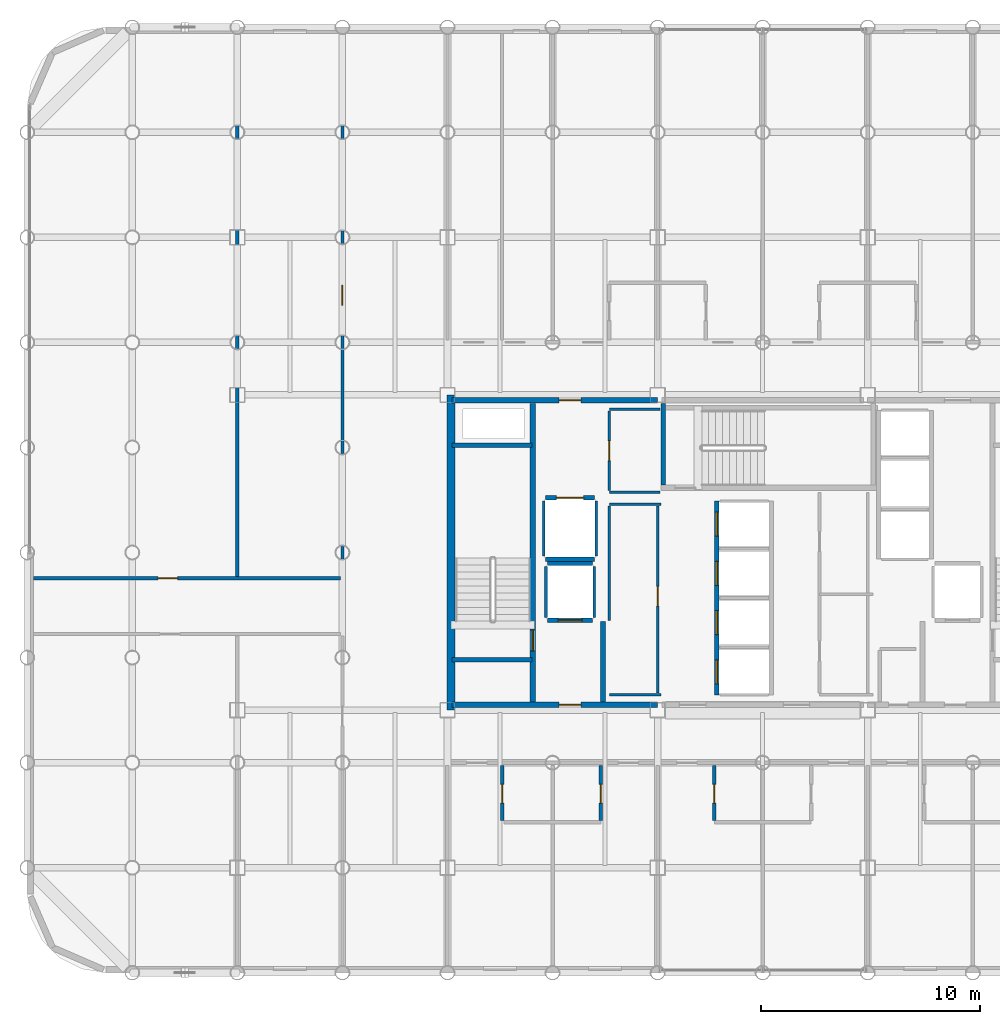
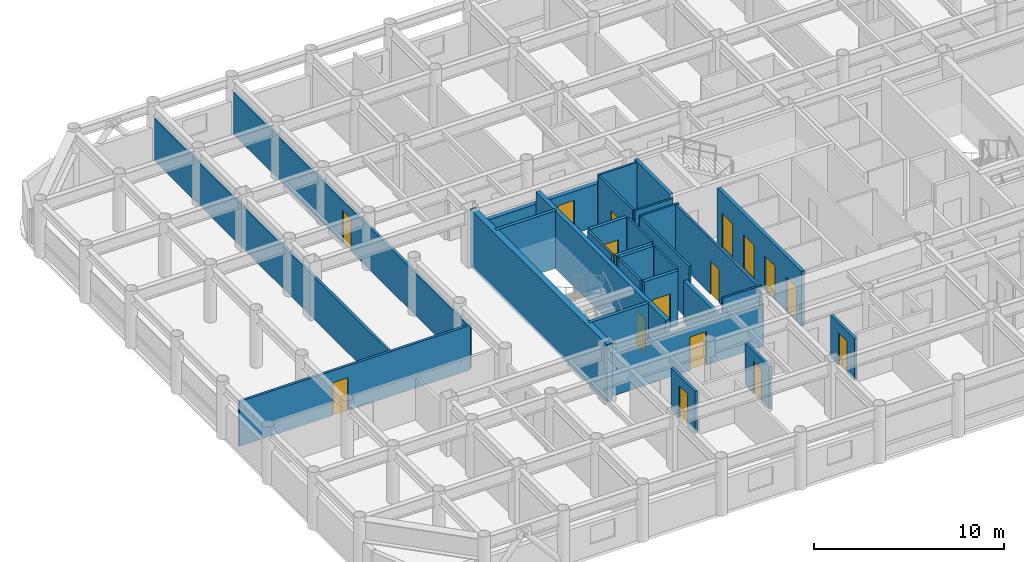
# One storey, part 16 of 20: 30 walls, 16 doors, 16 openings.
"""IFC4 building model written with IfcOpenShell, lengths in metres."""

from ifc_helpers import new_model, si_unit, direction, frame, frame_2d, origin, place, context, subcontext, project, spatial, rectangle, extrude, material, layer, layer_set, type_object, element, fill, save


model = new_model("IFC4")

# Units and contexts
model_context = context("Model", 3, precision=1e-05, world=origin(), true_north=direction((0.0, 1.0)))
body_context = subcontext(model_context, "Body", "Model", "MODEL_VIEW")
ifc_project = project(units=[si_unit("LENGTHUNIT", "METRE"), si_unit("AREAUNIT", "SQUARE_METRE"), si_unit("VOLUMEUNIT", "CUBIC_METRE"), si_unit("PLANEANGLEUNIT", "RADIAN"), si_unit("MASSUNIT", "GRAM", prefix="KILO")], contexts=[model_context])

# Site, building, storey
site_placement = place(None, origin())
site = spatial("IfcSite", under=ifc_project, at=site_placement, CompositionType="ELEMENT")
building_placement = place(site_placement, origin())
building = spatial("IfcBuilding", under=site, at=building_placement, Name="Kallvorn Hotel Tower", CompositionType="ELEMENT")
storey_placement = place(building_placement, frame((0.0, 0.0, 132.199951171875)))
storey = spatial("IfcBuildingStorey", under=building, at=storey_placement, Name="L32", CompositionType="ELEMENT", Elevation=132.199951171875)

# Wall
ifc_material_1 = material(Name="Concrete C50/60", Category="concrete")
ifc_layer_1 = layer(ifc_material_1, 0.35009765625)
ifc_layer_set_1 = layer_set([ifc_layer_1], Name="WL_CORE_350")
wall_type_1 = type_object("IfcWallType", Name="WL_CORE_350", PredefinedType="SHEAR", material=ifc_layer_set_1)
wall_1_placement = place(storey_placement, frame((-14.239990234375, -7.199951171875, -0.179931640625), z_axis=(0.0, 0.0, 1.0), x_axis=(0.0, 1.0, 0.0)))
element("IfcWall", 1, at=wall_1_placement, inside=storey, type_object=wall_type_1, Name="L32 Core West Shear Wall", PredefinedType="SHEAR", context=body_context, shape_type="SweptSolid", body=[
    extrude(rectangle(XDim=14.39990234375, YDim=0.35009765625, at=frame_2d((7.199951171875, 0.0))), origin(), (0.0, 0.0, 1.0), 3.699951171875),
])

# Wall, opening, door
ifc_material_2 = material(Name="Fire-rated double-layer acoustic gypsum drywall EI 60")
ifc_layer_2 = layer(ifc_material_2, 0.159912109375)
ifc_layer_set_2 = layer_set([ifc_layer_2], Name="WL_DEMISE_160")
wall_type_2 = type_object("IfcWallType", Name="WL_DEMISE_160", PredefinedType="PARTITIONING", material=ifc_layer_set_2)
wall_2_placement = place(storey_placement, frame((-11.905029296875, -12.235107421875, 0.0), z_axis=(0.0, 0.0, 1.0), x_axis=(0.0, 1.0, 0.0)))
wall_2 = element("IfcWall", 2, at=wall_2_placement, inside=storey, type_object=wall_type_2, Name="L32 Suite 3201 Superior Twin Room Partition", PredefinedType="PARTITIONING", context=body_context, shape_type="SweptSolid", body=[
    extrude(rectangle(XDim=2.51513671875, YDim=0.159912109375, at=frame_2d((1.257568359375, 0.0))), origin(), (0.0, 0.0, 1.0), 2.719970703125),
])
opening_1_placement = place(wall_2_placement, frame((0.784912109375, 0.0, 0.0)))
opening_1 = element("IfcOpeningElement", 3, at=opening_1_placement, cuts=wall_2, Name="Opening BD-I", PredefinedType="OPENING", context=body_context, shape_type="SweptSolid", body=[
    extrude(rectangle(XDim=0.860107421875, YDim=2.10009765625, at=frame_2d((0.43017578125, 1.050048828125))), frame((0.0, 0.094970703125, 0.0), z_axis=(0.0, -1.0, 0.0), x_axis=(1.0, 0.0, 0.0)), (0.0, 0.0, 1.0), 0.18994140625),
])
ifc_material_3 = material(Name="Solid-core walnut veneer fire-rated timber door leaf", Category="wood")
door_type_1 = type_object("IfcDoorType", Name="DR_BATH_860x2100", OperationType="NOTDEFINED", PredefinedType="DOOR", material=ifc_material_3)
door_1_placement = place(opening_1_placement, origin())
door_1 = element("IfcDoor", 4, at=door_1_placement, inside=storey, type_object=door_type_1, Name="L32 Suite 3201 En-Suite Bathroom Door", OperationType="SINGLE_SWING_LEFT", OverallHeight=2.10009765625, OverallWidth=0.860107421875, PredefinedType="DOOR", context=body_context, shape_type="SweptSolid", body=[
    extrude(rectangle(XDim=0.860107421875, YDim=2.10009765625, at=frame_2d((0.43017578125, 1.050048828125))), frame((0.0, 0.02490234375, 0.0), z_axis=(0.0, -1.0, 0.0), x_axis=(1.0, 0.0, 0.0)), (0.0, 0.0, 1.0), 0.050048828125),
])
fill(opening_1, door_1)

wall_3_placement = place(storey_placement, frame((-7.389892578125, -12.235107421875, 0.0), z_axis=(0.0, 0.0, 1.0), x_axis=(0.0, 1.0, 0.0)))
wall_3 = element("IfcWall", 5, at=wall_3_placement, inside=storey, type_object=wall_type_2, Name="L32 Suite 3202 Superior Twin Room Partition", PredefinedType="PARTITIONING", context=body_context, shape_type="SweptSolid", body=[
    extrude(rectangle(XDim=2.51513671875, YDim=0.159912109375, at=frame_2d((1.257568359375, 0.0))), origin(), (0.0, 0.0, 1.0), 2.719970703125),
])
opening_2_placement = place(wall_3_placement, frame((0.784912109375, 0.0, 0.0)))
opening_2 = element("IfcOpeningElement", 6, at=opening_2_placement, cuts=wall_3, Name="Opening BD-I", PredefinedType="OPENING", context=body_context, shape_type="SweptSolid", body=[
    extrude(rectangle(XDim=0.860107421875, YDim=2.10009765625, at=frame_2d((0.43017578125, 1.050048828125))), frame((0.0, 0.094970703125, 0.0), z_axis=(0.0, -1.0, 0.0), x_axis=(1.0, 0.0, 0.0)), (0.0, 0.0, 1.0), 0.18994140625),
])
door_2_placement = place(opening_2_placement, origin())
door_2 = element("IfcDoor", 7, at=door_2_placement, inside=storey, type_object=door_type_1, Name="L32 Suite 3202 En-Suite Bathroom Door", OperationType="SINGLE_SWING_LEFT", OverallHeight=2.10009765625, OverallWidth=0.860107421875, PredefinedType="DOOR", context=body_context, shape_type="SweptSolid", body=[
    extrude(rectangle(XDim=0.860107421875, YDim=2.10009765625, at=frame_2d((0.43017578125, 1.050048828125))), frame((0.0, 0.02490234375, 0.0), z_axis=(0.0, -1.0, 0.0), x_axis=(1.0, 0.0, 0.0)), (0.0, 0.0, 1.0), 0.050048828125),
])
fill(opening_2, door_2)

wall_4_placement = place(storey_placement, frame((-2.2099609375, -12.235107421875, 0.0), z_axis=(0.0, 0.0, 1.0), x_axis=(0.0, 1.0, 0.0)))
wall_4 = element("IfcWall", 8, at=wall_4_placement, inside=storey, type_object=wall_type_2, Name="L32 Suite 3203 Superior Twin Room Partition", PredefinedType="PARTITIONING", context=body_context, shape_type="SweptSolid", body=[
    extrude(rectangle(XDim=2.51513671875, YDim=0.159912109375, at=frame_2d((1.257568359375, 0.0))), origin(), (0.0, 0.0, 1.0), 2.719970703125),
])
opening_3_placement = place(wall_4_placement, frame((0.784912109375, 0.0, 0.0)))
opening_3 = element("IfcOpeningElement", 9, at=opening_3_placement, cuts=wall_4, Name="Opening BD-I", PredefinedType="OPENING", context=body_context, shape_type="SweptSolid", body=[
    extrude(rectangle(XDim=0.860107421875, YDim=2.10009765625, at=frame_2d((0.43017578125, 1.050048828125))), frame((0.0, 0.094970703125, 0.0), z_axis=(0.0, -1.0, 0.0), x_axis=(1.0, 0.0, 0.0)), (0.0, 0.0, 1.0), 0.18994140625),
])
door_3_placement = place(opening_3_placement, origin())
door_3 = element("IfcDoor", 10, at=door_3_placement, inside=storey, type_object=door_type_1, Name="L32 Suite 3203 En-Suite Bathroom Door", OperationType="SINGLE_SWING_LEFT", OverallHeight=2.10009765625, OverallWidth=0.860107421875, PredefinedType="DOOR", context=body_context, shape_type="SweptSolid", body=[
    extrude(rectangle(XDim=0.860107421875, YDim=2.10009765625, at=frame_2d((0.43017578125, 1.050048828125))), frame((0.0, 0.02490234375, 0.0), z_axis=(0.0, -1.0, 0.0), x_axis=(1.0, 0.0, 0.0)), (0.0, 0.0, 1.0), 0.050048828125),
])
fill(opening_3, door_3)

# Walls
ifc_material_4 = material(Name="Concrete C40/50", Category="concrete")
ifc_layer_3 = layer(ifc_material_4, 0.219970703125)
ifc_layer_set_3 = layer_set([ifc_layer_3], Name="WL_FFL_220")
wall_type_3 = type_object("IfcWallType", Name="WL_FFL_220", PredefinedType="SOLIDWALL", material=ifc_layer_set_3)
wall_5_placement = place(storey_placement, frame((-7.300048828125, -6.820068359375, 0.0), z_axis=(0.0, 0.0, 1.0), x_axis=(0.0, 1.0, 0.0)))
element("IfcWall", 11, at=wall_5_placement, inside=storey, type_object=wall_type_3, Name="L32 Firefighting Lobby West Divider Wall", PredefinedType="SOLIDWALL", context=body_context, shape_type="SweptSolid", body=[
    extrude(rectangle(XDim=3.670166015625, YDim=0.219970703125, at=frame_2d((1.8349609375, 0.0))), origin(), (0.0, 0.0, 1.0), 2.719970703125),
])
ifc_material_5 = material(Name="Concrete C40/50", Category="concrete")
ifc_layer_4 = layer(ifc_material_5, 0.199951171875)
ifc_layer_set_4 = layer_set([ifc_layer_4], Name="WL_HOIST_200")
wall_type_4 = type_object("IfcWallType", Name="WL_HOIST_200", PredefinedType="SOLIDWALL", material=ifc_layer_set_4)
for number, where, z_axis, x_axis, name in (
    (12, (-14.199951171875, -4.89990234375, -0.179931640625), (0.0, 0.0, 1.0), (1.0, 0.0, 0.0), "L32 Stair ST1 South Wall"),
    (13, (-14.199951171875, 4.89990234375, -0.179931640625), (0.0, 0.0, 1.0), (1.0, 0.0, 0.0), "L32 Stair ST1 North Wall"),
):
    element("IfcWall", number, at=place(storey_placement, frame(where, z_axis=z_axis, x_axis=x_axis)), inside=storey, type_object=wall_type_4, Name=name, PredefinedType="SOLIDWALL", context=body_context, shape_type="SweptSolid", body=[
        extrude(rectangle(XDim=3.64990234375, YDim=0.199951171875, at=frame_2d((1.824951171875, 0.0))), origin(), (0.0, 0.0, 1.0), 3.699951171875),
    ])
wall_6_placement = place(storey_placement, frame((-4.550048828125, 3.080078125, -0.179931640625), z_axis=(0.0, 0.0, 1.0), x_axis=(0.0, 1.0, 0.0)))
element("IfcWall", 14, at=wall_6_placement, inside=storey, type_object=wall_type_4, Name="L32 Stair ST3 West Wall", PredefinedType="SOLIDWALL", context=body_context, shape_type="SweptSolid", body=[
    extrude(rectangle(XDim=3.739990234375, YDim=0.199951171875, at=frame_2d((1.8701171875, 0.0))), origin(), (0.0, 0.0, 1.0), 3.699951171875),
])

# Wall, openings, doors
wall_7_placement = place(storey_placement, frame((-2.10009765625, -6.5, 0.0), z_axis=(0.0, 0.0, 1.0), x_axis=(0.0, 1.0, 0.0)))
wall_7 = element("IfcWall", 15, at=wall_7_placement, inside=storey, type_object=wall_type_4, Name="L32 Lift Bank B2 Landing Wall", PredefinedType="SOLIDWALL", context=body_context, shape_type="SweptSolid", body=[
    extrude(rectangle(XDim=8.85009765625, YDim=0.199951171875, at=frame_2d((4.425048828125, 0.0))), origin(), (0.0, 0.0, 1.0), 3.52001953125),
])
opening_4_placement = place(wall_7_placement, frame((0.5, 0.0, 0.0)))
opening_4 = element("IfcOpeningElement", 16, at=opening_4_placement, cuts=wall_7, Name="Opening LD-PL-05", PredefinedType="OPENING", context=body_context, shape_type="SweptSolid", body=[
    extrude(rectangle(XDim=1.10009765625, YDim=2.199951171875, at=frame_2d((0.550048828125, 1.10009765625))), frame((0.0, 0.114990234375, 0.0), z_axis=(0.0, -1.0, 0.0), x_axis=(1.0, 0.0, 0.0)), (0.0, 0.0, 1.0), 0.22998046875),
])
opening_5_placement = place(wall_7_placement, frame((2.75, 0.0, 0.0)))
opening_5 = element("IfcOpeningElement", 17, at=opening_5_placement, cuts=wall_7, Name="Opening LD-PL-06", PredefinedType="OPENING", context=body_context, shape_type="SweptSolid", body=[
    extrude(rectangle(XDim=1.10009765625, YDim=2.199951171875, at=frame_2d((0.550048828125, 1.10009765625))), frame((0.0, 0.114990234375, 0.0), z_axis=(0.0, -1.0, 0.0), x_axis=(1.0, 0.0, 0.0)), (0.0, 0.0, 1.0), 0.22998046875),
])
opening_6_placement = place(wall_7_placement, frame((5.0, 0.0, 0.0)))
opening_6 = element("IfcOpeningElement", 18, at=opening_6_placement, cuts=wall_7, Name="Opening LD-PL-07", PredefinedType="OPENING", context=body_context, shape_type="SweptSolid", body=[
    extrude(rectangle(XDim=1.10009765625, YDim=2.199951171875, at=frame_2d((0.550048828125, 1.10009765625))), frame((0.0, 0.114990234375, 0.0), z_axis=(0.0, -1.0, 0.0), x_axis=(1.0, 0.0, 0.0)), (0.0, 0.0, 1.0), 0.22998046875),
])
opening_7_placement = place(wall_7_placement, frame((7.25, 0.0, 0.0)))
opening_7 = element("IfcOpeningElement", 19, at=opening_7_placement, cuts=wall_7, Name="Opening LD-PL-08", PredefinedType="OPENING", context=body_context, shape_type="SweptSolid", body=[
    extrude(rectangle(XDim=1.10009765625, YDim=2.199951171875, at=frame_2d((0.550048828125, 1.10009765625))), frame((0.0, 0.114990234375, 0.0), z_axis=(0.0, -1.0, 0.0), x_axis=(1.0, 0.0, 0.0)), (0.0, 0.0, 1.0), 0.22998046875),
])
ifc_material_6 = material(Name="Brushed stainless-steel automatic sliding lift landing door", Category="steel")
door_type_2 = type_object("IfcDoorType", Name="LD_PASS_1100x2200", OperationType="SLIDING_TO_LEFT", PredefinedType="DOOR", material=ifc_material_6)
door_4_placement = place(opening_4_placement, origin())
door_4 = element("IfcDoor", 20, at=door_4_placement, inside=storey, type_object=door_type_2, Name="L32 Lift Landing Sliding Door LD-PL-05", OperationType="SLIDING_TO_LEFT", OverallHeight=2.199951171875, OverallWidth=1.10009765625, PredefinedType="DOOR", context=body_context, shape_type="SweptSolid", body=[
    extrude(rectangle(XDim=1.10009765625, YDim=2.199951171875, at=frame_2d((0.550048828125, 1.10009765625))), frame((0.0, 0.02490234375, 0.0), z_axis=(0.0, -1.0, 0.0), x_axis=(1.0, 0.0, 0.0)), (0.0, 0.0, 1.0), 0.050048828125),
])
fill(opening_4, door_4)
door_5_placement = place(opening_5_placement, origin())
door_5 = element("IfcDoor", 21, at=door_5_placement, inside=storey, type_object=door_type_2, Name="L32 Lift Landing Sliding Door LD-PL-06", OperationType="SLIDING_TO_LEFT", OverallHeight=2.199951171875, OverallWidth=1.10009765625, PredefinedType="DOOR", context=body_context, shape_type="SweptSolid", body=[
    extrude(rectangle(XDim=1.10009765625, YDim=2.199951171875, at=frame_2d((0.550048828125, 1.10009765625))), frame((0.0, 0.02490234375, 0.0), z_axis=(0.0, -1.0, 0.0), x_axis=(1.0, 0.0, 0.0)), (0.0, 0.0, 1.0), 0.050048828125),
])
fill(opening_5, door_5)
door_6_placement = place(opening_6_placement, origin())
door_6 = element("IfcDoor", 22, at=door_6_placement, inside=storey, type_object=door_type_2, Name="L32 Lift Landing Sliding Door LD-PL-07", OperationType="SLIDING_TO_LEFT", OverallHeight=2.199951171875, OverallWidth=1.10009765625, PredefinedType="DOOR", context=body_context, shape_type="SweptSolid", body=[
    extrude(rectangle(XDim=1.10009765625, YDim=2.199951171875, at=frame_2d((0.550048828125, 1.10009765625))), frame((0.0, 0.02490234375, 0.0), z_axis=(0.0, -1.0, 0.0), x_axis=(1.0, 0.0, 0.0)), (0.0, 0.0, 1.0), 0.050048828125),
])
fill(opening_6, door_6)
door_7_placement = place(opening_7_placement, origin())
door_7 = element("IfcDoor", 23, at=door_7_placement, inside=storey, type_object=door_type_2, Name="L32 Lift Landing Sliding Door LD-PL-08", OperationType="SLIDING_TO_LEFT", OverallHeight=2.199951171875, OverallWidth=1.10009765625, PredefinedType="DOOR", context=body_context, shape_type="SweptSolid", body=[
    extrude(rectangle(XDim=1.10009765625, YDim=2.199951171875, at=frame_2d((0.550048828125, 1.10009765625))), frame((0.0, 0.02490234375, 0.0), z_axis=(0.0, -1.0, 0.0), x_axis=(1.0, 0.0, 0.0)), (0.0, 0.0, 1.0), 0.050048828125),
])
fill(opening_7, door_7)

# Wall, opening, door
wall_8_placement = place(storey_placement, frame((-9.820068359375, -3.10009765625, 0.0), z_axis=(0.0, 0.0, 1.0), x_axis=(1.0, 0.0, 0.0)))
wall_8 = element("IfcWall", 24, at=wall_8_placement, inside=storey, type_object=wall_type_4, Name="L32 FL-1 Landing Wall", PredefinedType="SOLIDWALL", context=body_context, shape_type="SweptSolid", body=[
    extrude(rectangle(XDim=2.0400390625, YDim=0.199951171875, at=frame_2d((1.02001953125, 0.0))), origin(), (0.0, 0.0, 1.0), 3.52001953125),
])
opening_8_placement = place(wall_8_placement, frame((0.469970703125, 0.0, 0.0)))
opening_8 = element("IfcOpeningElement", 25, at=opening_8_placement, cuts=wall_8, Name="Opening LD-FL-1", PredefinedType="OPENING", context=body_context, shape_type="SweptSolid", body=[
    extrude(rectangle(XDim=1.10009765625, YDim=2.199951171875, at=frame_2d((0.550048828125, 1.10009765625))), frame((0.0, 0.114990234375, 0.0), z_axis=(0.0, -1.0, 0.0), x_axis=(1.0, 0.0, 0.0)), (0.0, 0.0, 1.0), 0.22998046875),
])
door_8_placement = place(opening_8_placement, origin())
door_8 = element("IfcDoor", 26, at=door_8_placement, inside=storey, type_object=door_type_2, Name="L32 Lift Landing Sliding Door LD-FL-1", OperationType="SLIDING_TO_LEFT", OverallHeight=2.199951171875, OverallWidth=1.10009765625, PredefinedType="DOOR", context=body_context, shape_type="SweptSolid", body=[
    extrude(rectangle(XDim=1.10009765625, YDim=2.199951171875, at=frame_2d((0.550048828125, 1.10009765625))), frame((0.0, 0.02490234375, 0.0), z_axis=(0.0, -1.0, 0.0), x_axis=(1.0, 0.0, 0.0)), (0.0, 0.0, 1.0), 0.050048828125),
])
fill(opening_8, door_8)

# Wall
wall_9_placement = place(storey_placement, frame((-9.820068359375, -0.5, 0.0), z_axis=(0.0, 0.0, 1.0), x_axis=(1.0, 0.0, 0.0)))
element("IfcWall", 27, at=wall_9_placement, inside=storey, type_object=wall_type_4, Name="L32 FL-1 Rear Shaft Wall", PredefinedType="SOLIDWALL", context=body_context, shape_type="SweptSolid", body=[
    extrude(rectangle(XDim=2.0400390625, YDim=0.199951171875, at=frame_2d((1.02001953125, 0.0))), origin(), (0.0, 0.0, 1.0), 3.52001953125),
])

# Wall, opening, door
wall_10_placement = place(storey_placement, frame((-9.919921875, 2.5, 0.0), z_axis=(0.0, 0.0, 1.0), x_axis=(1.0, 0.0, 0.0)))
wall_10 = element("IfcWall", 28, at=wall_10_placement, inside=storey, type_object=wall_type_4, Name="L32 SV-01 Landing Wall", PredefinedType="SOLIDWALL", context=body_context, shape_type="SweptSolid", body=[
    extrude(rectangle(XDim=2.239990234375, YDim=0.199951171875, at=frame_2d((1.1201171875, 0.0))), origin(), (0.0, 0.0, 1.0), 3.52001953125),
])
opening_9_placement = place(wall_10_placement, frame((0.4951171875, 0.0, 0.0)))
opening_9 = element("IfcOpeningElement", 29, at=opening_9_placement, cuts=wall_10, Name="Opening LD-SV-01", PredefinedType="OPENING", context=body_context, shape_type="SweptSolid", body=[
    extrude(rectangle(XDim=1.25, YDim=2.25, at=frame_2d((0.625, 1.125))), frame((0.0, 0.114990234375, 0.0), z_axis=(0.0, -1.0, 0.0), x_axis=(1.0, 0.0, 0.0)), (0.0, 0.0, 1.0), 0.22998046875),
])
ifc_material_7 = material(Name="Brushed stainless-steel automatic sliding lift landing door", Category="steel")
door_type_3 = type_object("IfcDoorType", Name="LD_SERV_1250x2250", OperationType="SLIDING_TO_LEFT", PredefinedType="DOOR", material=ifc_material_7)
door_9_placement = place(opening_9_placement, origin())
door_9 = element("IfcDoor", 30, at=door_9_placement, inside=storey, type_object=door_type_3, Name="L32 Lift Landing Sliding Door LD-SV-01", OperationType="SLIDING_TO_LEFT", OverallHeight=2.25, OverallWidth=1.25, PredefinedType="DOOR", context=body_context, shape_type="SweptSolid", body=[
    extrude(rectangle(XDim=1.25, YDim=2.25, at=frame_2d((0.625, 1.125))), frame((0.0, 0.02490234375, 0.0), z_axis=(0.0, -1.0, 0.0), x_axis=(1.0, 0.0, 0.0)), (0.0, 0.0, 1.0), 0.050048828125),
])
fill(opening_9, door_9)

# Walls
wall_11_placement = place(storey_placement, frame((-9.919921875, -0.300048828125, 0.0), z_axis=(0.0, 0.0, 1.0), x_axis=(1.0, 0.0, 0.0)))
element("IfcWall", 31, at=wall_11_placement, inside=storey, type_object=wall_type_4, Name="L32 SV-01 Rear Shaft Wall", PredefinedType="SOLIDWALL", context=body_context, shape_type="SweptSolid", body=[
    extrude(rectangle(XDim=2.239990234375, YDim=0.199951171875, at=frame_2d((1.1201171875, 0.0))), origin(), (0.0, 0.0, 1.0), 3.52001953125),
])
ifc_material_8 = material(Name="Fire-rated double-layer acoustic gypsum drywall EI 60")
ifc_layer_5 = layer(ifc_material_8, 0.1201171875)
ifc_layer_set_5 = layer_set([ifc_layer_5], Name="WL_INT_120")
wall_type_5 = type_object("IfcWallType", Name="WL_INT_120", PredefinedType="PARTITIONING", material=ifc_layer_set_5)
for number, where, z_axis, x_axis, name in (
    (32, (-9.89990234375, -2.9599609375, 0.0), (0.0, 0.0, 1.0), (0.0, 1.0, 0.0), "L32 FL-1 West Shaft Wall"),
    (33, (-7.699951171875, -2.9599609375, 0.0), (0.0, 0.0, 1.0), (0.0, 1.0, 0.0), "L32 FL-1 East Shaft Wall"),
):
    element("IfcWall", number, at=place(storey_placement, frame(where, z_axis=z_axis, x_axis=x_axis)), inside=storey, type_object=wall_type_5, Name=name, PredefinedType="PARTITIONING", context=body_context, shape_type="SweptSolid", body=[
        extrude(rectangle(XDim=2.320068359375, YDim=0.1201171875, at=frame_2d((1.16015625, 0.0))), origin(), (0.0, 0.0, 1.0), 3.52001953125),
    ])
for number, where, z_axis, x_axis, name in (
    (34, (-10.0, -0.159912109375, 0.0), (0.0, 0.0, 1.0), (0.0, 1.0, 0.0), "L32 SV-01 West Shaft Wall"),
    (35, (-7.60009765625, -0.159912109375, 0.0), (0.0, 0.0, 1.0), (0.0, 1.0, 0.0), "L32 SV-01 East Shaft Wall"),
):
    element("IfcWall", number, at=place(storey_placement, frame(where, z_axis=z_axis, x_axis=x_axis)), inside=storey, type_object=wall_type_5, Name=name, PredefinedType="PARTITIONING", context=body_context, shape_type="SweptSolid", body=[
        extrude(rectangle(XDim=2.52001953125, YDim=0.1201171875, at=frame_2d((1.260009765625, 0.0))), origin(), (0.0, 0.0, 1.0), 3.52001953125),
    ])
for number, where, z_axis, x_axis, name in (
    (36, (-7.0, -6.5, 0.0), (0.0, 0.0, 1.0), (1.0, 0.0, 0.0), "L32 Recaptured Butler and Room-Service Pantry Partition"),
    (37, (-7.0, 2.199951171875, 0.0), (0.0, 0.0, 1.0), (1.0, 0.0, 0.0), "L32 Recaptured Butler and Room-Service Pantry Partition"),
):
    element("IfcWall", number, at=place(storey_placement, frame(where, z_axis=z_axis, x_axis=x_axis)), inside=storey, type_object=wall_type_5, Name=name, PredefinedType="PARTITIONING", context=body_context, shape_type="SweptSolid", body=[
        extrude(rectangle(XDim=2.35009765625, YDim=0.1201171875, at=frame_2d((1.175048828125, 0.0))), origin(), (0.0, 0.0, 1.0), 3.52001953125),
    ])
for number, where, z_axis, x_axis, name in (
    (38, (-7.0, 2.75, 0.0), (0.0, 0.0, 1.0), (1.0, 0.0, 0.0), "L32 Recaptured Valet and Linen Reserve Store Partition"),
    (39, (-7.0, 6.550048828125, 0.0), (0.0, 0.0, 1.0), (1.0, 0.0, 0.0), "L32 Recaptured Valet and Linen Reserve Store Partition"),
):
    element("IfcWall", number, at=place(storey_placement, frame(where, z_axis=z_axis, x_axis=x_axis)), inside=storey, type_object=wall_type_5, Name=name, PredefinedType="PARTITIONING", context=body_context, shape_type="SweptSolid", body=[
        extrude(rectangle(XDim=2.31005859375, YDim=0.1201171875, at=frame_2d((1.155029296875, 0.0))), origin(), (0.0, 0.0, 1.0), 3.52001953125),
    ])
wall_12_placement = place(storey_placement, frame((-7.0048828125, -3.110107421875, 0.0), z_axis=(0.0, 0.0, 1.0), x_axis=(0.0, 1.0, 0.0)))
element("IfcWall", 40, at=wall_12_placement, inside=storey, type_object=wall_type_5, Name="L32 Recaptured Butler and Room-Service Pantry Partition", PredefinedType="PARTITIONING", context=body_context, shape_type="SweptSolid", body=[
    extrude(rectangle(XDim=5.22509765625, YDim=0.1201171875, at=frame_2d((2.612548828125, 0.0))), origin(), (0.0, 0.0, 1.0), 3.52001953125),
])

# Wall, opening, door
wall_13_placement = place(storey_placement, frame((-7.0048828125, 2.8349609375, 0.0), z_axis=(0.0, 0.0, 1.0), x_axis=(0.0, 1.0, 0.0)))
wall_13 = element("IfcWall", 41, at=wall_13_placement, inside=storey, type_object=wall_type_5, Name="L32 Recaptured Valet and Linen Reserve Store Partition", PredefinedType="PARTITIONING", context=body_context, shape_type="SweptSolid", body=[
    extrude(rectangle(XDim=3.630126953125, YDim=0.1201171875, at=frame_2d((1.81494140625, 0.0))), origin(), (0.0, 0.0, 1.0), 3.52001953125),
])
opening_10_placement = place(wall_13_placement, frame((1.364990234375, 0.0, 0.0)))
opening_10 = element("IfcOpeningElement", 42, at=opening_10_placement, cuts=wall_13, Name="Opening SVD1", PredefinedType="OPENING", context=body_context, shape_type="SweptSolid", body=[
    extrude(rectangle(XDim=0.89990234375, YDim=2.10009765625, at=frame_2d((0.449951171875, 1.050048828125))), frame((0.0, 0.074951171875, 0.0), z_axis=(0.0, -1.0, 0.0), x_axis=(1.0, 0.0, 0.0)), (0.0, 0.0, 1.0), 0.150146484375),
])
ifc_material_9 = material(Name="Galvanised painted steel fire-rated door assembly", Category="steel")
door_type_4 = type_object("IfcDoorType", Name="DR_SERV_900x2100", OperationType="NOTDEFINED", PredefinedType="DOOR", material=ifc_material_9)
door_10_placement = place(opening_10_placement, origin())
door_10 = element("IfcDoor", 43, at=door_10_placement, inside=storey, type_object=door_type_4, Name="L32 Recaptured Valet and Linen Reserve Store Door", OperationType="SINGLE_SWING_LEFT", OverallHeight=2.10009765625, OverallWidth=0.89990234375, PredefinedType="DOOR", context=body_context, shape_type="SweptSolid", body=[
    extrude(rectangle(XDim=0.89990234375, YDim=2.10009765625, at=frame_2d((0.449951171875, 1.050048828125))), frame((0.0, 0.02490234375, 0.0), z_axis=(0.0, -1.0, 0.0), x_axis=(1.0, 0.0, 0.0)), (0.0, 0.0, 1.0), 0.050048828125),
])
fill(opening_10, door_10)

wall_14_placement = place(storey_placement, frame((-4.800048828125, -6.4150390625, 0.0), z_axis=(0.0, 0.0, 1.0), x_axis=(0.0, 1.0, 0.0)))
wall_14 = element("IfcWall", 44, at=wall_14_placement, inside=storey, type_object=wall_type_5, Name="L32 Recaptured Butler and Room-Service Pantry Partition", PredefinedType="PARTITIONING", context=body_context, shape_type="SweptSolid", body=[
    extrude(rectangle(XDim=8.530029296875, YDim=0.1201171875, at=frame_2d((4.26513671875, 0.0))), origin(), (0.0, 0.0, 1.0), 3.52001953125),
])
opening_11_placement = place(wall_14_placement, frame((3.965087890625, 0.0, 0.0)))
opening_11 = element("IfcOpeningElement", 45, at=opening_11_placement, cuts=wall_14, Name="Opening SVD1", PredefinedType="OPENING", context=body_context, shape_type="SweptSolid", body=[
    extrude(rectangle(XDim=0.89990234375, YDim=2.10009765625, at=frame_2d((0.449951171875, 1.050048828125))), frame((0.0, 0.074951171875, 0.0), z_axis=(0.0, -1.0, 0.0), x_axis=(1.0, 0.0, 0.0)), (0.0, 0.0, 1.0), 0.150146484375),
])
door_11_placement = place(opening_11_placement, origin())
door_11 = element("IfcDoor", 46, at=door_11_placement, inside=storey, type_object=door_type_4, Name="L32 Recaptured Butler and Room-Service Pantry Door", OperationType="SINGLE_SWING_LEFT", OverallHeight=2.10009765625, OverallWidth=0.89990234375, PredefinedType="DOOR", context=body_context, shape_type="SweptSolid", body=[
    extrude(rectangle(XDim=0.89990234375, YDim=2.10009765625, at=frame_2d((0.449951171875, 1.050048828125))), frame((0.0, 0.02490234375, 0.0), z_axis=(0.0, -1.0, 0.0), x_axis=(1.0, 0.0, 0.0)), (0.0, 0.0, 1.0), 0.050048828125),
])
fill(opening_11, door_11)

ifc_material_10 = material(Name="Fire-rated double-layer acoustic gypsum drywall EI 60")
ifc_layer_6 = layer(ifc_material_10, 0.14990234375)
ifc_layer_set_6 = layer_set([ifc_layer_6], Name="WL_PART_150")
wall_type_6 = type_object("IfcWallType", Name="WL_PART_150", PredefinedType="PARTITIONING", material=ifc_layer_set_6)
wall_15_placement = place(storey_placement, frame((-33.31005859375, -1.179931640625, 0.0), z_axis=(0.0, 0.0, 1.0), x_axis=(1.0, 0.0, 0.0)))
wall_15 = element("IfcWall", 47, at=wall_15_placement, inside=storey, type_object=wall_type_6, Name="L32 L32 Outer North-West Fitness Gymnasium Partition", PredefinedType="PARTITIONING", context=body_context, shape_type="SweptSolid", body=[
    extrude(rectangle(XDim=14.030029296875, YDim=0.14990234375, at=frame_2d((7.01513671875, 0.0))), origin(), (0.0, 0.0, 1.0), 2.8701171875),
])
opening_12_placement = place(wall_15_placement, frame((5.685791015625, 0.0, 0.0)))
opening_12 = element("IfcOpeningElement", 48, at=opening_12_placement, cuts=wall_15, Name="Opening SVD1", PredefinedType="OPENING", context=body_context, shape_type="SweptSolid", body=[
    extrude(rectangle(XDim=0.89990234375, YDim=2.10009765625, at=frame_2d((0.449951171875, 1.050048828125))), frame((0.0, 0.08984375, 0.0), z_axis=(0.0, -1.0, 0.0), x_axis=(1.0, 0.0, 0.0)), (0.0, 0.0, 1.0), 0.179931640625),
])
door_12_placement = place(opening_12_placement, origin())
door_12 = element("IfcDoor", 49, at=door_12_placement, inside=storey, type_object=door_type_4, Name="L32 L32 Outer North-West Fitness Gymnasium Door", OperationType="SINGLE_SWING_RIGHT", OverallHeight=2.10009765625, OverallWidth=0.89990234375, PredefinedType="DOOR", context=body_context, shape_type="SweptSolid", body=[
    extrude(rectangle(XDim=0.89990234375, YDim=2.10009765625, at=frame_2d((0.449951171875, 1.050048828125))), frame((0.0, 0.02490234375, 0.0), z_axis=(0.0, -1.0, 0.0), x_axis=(1.0, 0.0, 0.0)), (0.0, 0.0, 1.0), 0.050048828125),
])
fill(opening_12, door_12)

# Wall
wall_16_placement = place(storey_placement, frame((-24.0, -1.094970703125, 0.0), z_axis=(0.0, 0.0, 1.0), x_axis=(0.0, 1.0, 0.0)))
element("IfcWall", 50, at=wall_16_placement, inside=storey, type_object=wall_type_6, Name="L32 L32 Inner North-West Reading Salon Partition", PredefinedType="PARTITIONING", context=body_context, shape_type="SweptSolid", body=[
    extrude(rectangle(XDim=24.804931640625, YDim=0.14990234375, at=frame_2d((12.40234375, 0.0))), origin(), (0.0, 0.0, 1.0), 2.719970703125),
])

# Wall, opening, door
wall_17_placement = place(storey_placement, frame((-19.199951171875, -1.094970703125, 0.0), z_axis=(0.0, 0.0, 1.0), x_axis=(0.0, 1.0, 0.0)))
wall_17 = element("IfcWall", 51, at=wall_17_placement, inside=storey, type_object=wall_type_6, Name="L32 L32 Inner North-West Reading Salon Partition", PredefinedType="PARTITIONING", context=body_context, shape_type="SweptSolid", body=[
    extrude(rectangle(XDim=24.804931640625, YDim=0.14990234375, at=frame_2d((12.40234375, 0.0))), origin(), (0.0, 0.0, 1.0), 2.719970703125),
])
opening_13_placement = place(wall_17_placement, frame((12.40185546875, 0.0, 0.0)))
opening_13 = element("IfcOpeningElement", 52, at=opening_13_placement, cuts=wall_17, Name="Opening SVD1", PredefinedType="OPENING", context=body_context, shape_type="SweptSolid", body=[
    extrude(rectangle(XDim=0.89990234375, YDim=2.10009765625, at=frame_2d((0.449951171875, 1.050048828125))), frame((0.0, 0.08984375, 0.0), z_axis=(0.0, -1.0, 0.0), x_axis=(1.0, 0.0, 0.0)), (0.0, 0.0, 1.0), 0.179931640625),
])
door_13_placement = place(opening_13_placement, origin())
door_13 = element("IfcDoor", 53, at=door_13_placement, inside=storey, type_object=door_type_4, Name="L32 L32 Inner North-West Reading Salon Door", OperationType="SINGLE_SWING_LEFT", OverallHeight=2.10009765625, OverallWidth=0.89990234375, PredefinedType="DOOR", context=body_context, shape_type="SweptSolid", body=[
    extrude(rectangle(XDim=0.89990234375, YDim=2.10009765625, at=frame_2d((0.449951171875, 1.050048828125))), frame((0.0, 0.02490234375, 0.0), z_axis=(0.0, -1.0, 0.0), x_axis=(1.0, 0.0, 0.0)), (0.0, 0.0, 1.0), 0.050048828125),
])
fill(opening_13, door_13)

ifc_material_11 = material(Name="Concrete C40/50", Category="concrete")
ifc_layer_7 = layer(ifc_material_11, 0.25)
ifc_layer_set_7 = layer_set([ifc_layer_7], Name="WL_SHAFT_250")
wall_type_7 = type_object("IfcWallType", Name="WL_SHAFT_250", PredefinedType="SOLIDWALL", material=ifc_layer_set_7)
wall_18_placement = place(storey_placement, frame((-14.199951171875, -6.949951171875, 0.0), z_axis=(0.0, 0.0, 1.0), x_axis=(1.0, 0.0, 0.0)))
wall_18 = element("IfcWall", 54, at=wall_18_placement, inside=storey, type_object=wall_type_7, Name="L32 Core South-West Wall", PredefinedType="SOLIDWALL", context=body_context, shape_type="SweptSolid", body=[
    extrude(rectangle(XDim=9.39990234375, YDim=0.25, at=frame_2d((4.699951171875, 0.0))), origin(), (0.0, 0.0, 1.0), 2.719970703125),
])
opening_14_placement = place(wall_18_placement, frame((4.89990234375, 0.0, 0.0)))
opening_14 = element("IfcOpeningElement", 55, at=opening_14_placement, cuts=wall_18, Name="Opening FD1", PredefinedType="OPENING", context=body_context, shape_type="SweptSolid", body=[
    extrude(rectangle(XDim=1.0, YDim=2.14990234375, at=frame_2d((0.5, 1.074951171875))), frame((0.0, 0.139892578125, 0.0), z_axis=(0.0, -1.0, 0.0), x_axis=(1.0, 0.0, 0.0)), (0.0, 0.0, 1.0), 0.280029296875),
])
ifc_material_12 = material(Name="Galvanised painted steel fire-rated door assembly", Category="steel")
door_type_5 = type_object("IfcDoorType", Name="DR_FFL_1000x2150", OperationType="NOTDEFINED", PredefinedType="DOOR", material=ifc_material_12)
door_14_placement = place(opening_14_placement, origin())
door_14 = element("IfcDoor", 56, at=door_14_placement, inside=storey, type_object=door_type_5, Name="L32 Firefighting Lobby West Door", OperationType="SINGLE_SWING_LEFT", OverallHeight=2.14990234375, OverallWidth=1.0, PredefinedType="DOOR", context=body_context, shape_type="SweptSolid", body=[
    extrude(rectangle(XDim=1.0, YDim=2.14990234375, at=frame_2d((0.5, 1.074951171875))), frame((0.0, 0.02490234375, 0.0), z_axis=(0.0, -1.0, 0.0), x_axis=(1.0, 0.0, 0.0)), (0.0, 0.0, 1.0), 0.050048828125),
])
fill(opening_14, door_14)

wall_19_placement = place(storey_placement, frame((-14.199951171875, 6.949951171875, 0.0), z_axis=(0.0, 0.0, 1.0), x_axis=(1.0, 0.0, 0.0)))
wall_19 = element("IfcWall", 57, at=wall_19_placement, inside=storey, type_object=wall_type_7, Name="L32 Core North-West Wall", PredefinedType="SOLIDWALL", context=body_context, shape_type="SweptSolid", body=[
    extrude(rectangle(XDim=9.39990234375, YDim=0.25, at=frame_2d((4.699951171875, 0.0))), origin(), (0.0, 0.0, 1.0), 2.719970703125),
])
opening_15_placement = place(wall_19_placement, frame((4.89990234375, 0.0, 0.0)))
opening_15 = element("IfcOpeningElement", 58, at=opening_15_placement, cuts=wall_19, Name="Opening FD1", PredefinedType="OPENING", context=body_context, shape_type="SweptSolid", body=[
    extrude(rectangle(XDim=1.0, YDim=2.14990234375, at=frame_2d((0.5, 1.074951171875))), frame((0.0, 0.139892578125, 0.0), z_axis=(0.0, -1.0, 0.0), x_axis=(1.0, 0.0, 0.0)), (0.0, 0.0, 1.0), 0.280029296875),
])
door_15_placement = place(opening_15_placement, origin())
door_15 = element("IfcDoor", 59, at=door_15_placement, inside=storey, type_object=door_type_5, Name="L32 Service Lift Lobby Door", OperationType="SINGLE_SWING_RIGHT", OverallHeight=2.14990234375, OverallWidth=1.0, PredefinedType="DOOR", context=body_context, shape_type="SweptSolid", body=[
    extrude(rectangle(XDim=1.0, YDim=2.14990234375, at=frame_2d((0.5, 1.074951171875))), frame((0.0, 0.02490234375, 0.0), z_axis=(0.0, -1.0, 0.0), x_axis=(1.0, 0.0, 0.0)), (0.0, 0.0, 1.0), 0.050048828125),
])
fill(opening_15, door_15)

wall_20_placement = place(storey_placement, frame((-10.5, -6.820068359375, -0.179931640625), z_axis=(0.0, 0.0, 1.0), x_axis=(0.0, 1.0, 0.0)))
wall_20 = element("IfcWall", 60, at=wall_20_placement, inside=storey, type_object=wall_type_7, Name="L32 Stair ST1 Shaft Wall", PredefinedType="SOLIDWALL", context=body_context, shape_type="SweptSolid", body=[
    extrude(rectangle(XDim=13.64013671875, YDim=0.25, at=frame_2d((6.820068359375, 0.0))), origin(), (0.0, 0.0, 1.0), 3.699951171875),
])
opening_16_placement = place(wall_20_placement, frame((2.320068359375, 0.0, 0.179931640625)))
opening_16 = element("IfcOpeningElement", 61, at=opening_16_placement, cuts=wall_20, Name="Opening SD1", PredefinedType="OPENING", context=body_context, shape_type="SweptSolid", body=[
    extrude(rectangle(XDim=0.949951171875, YDim=2.14990234375, at=frame_2d((0.47509765625, 1.074951171875))), frame((0.0, 0.139892578125, 0.0), z_axis=(0.0, -1.0, 0.0), x_axis=(1.0, 0.0, 0.0)), (0.0, 0.0, 1.0), 0.280029296875),
])
ifc_material_13 = material(Name="Galvanised painted steel fire-rated door assembly", Category="steel")
door_type_6 = type_object("IfcDoorType", Name="DR_STAIR_950x2150", OperationType="NOTDEFINED", PredefinedType="DOOR", material=ifc_material_13)
door_16_placement = place(opening_16_placement, origin())
door_16 = element("IfcDoor", 62, at=door_16_placement, inside=storey, type_object=door_type_6, Name="L32 Exit Stair ST1 Fire Door", OperationType="SINGLE_SWING_LEFT", OverallHeight=2.14990234375, OverallWidth=0.949951171875, PredefinedType="DOOR", context=body_context, shape_type="SweptSolid", body=[
    extrude(rectangle(XDim=0.949951171875, YDim=2.14990234375, at=frame_2d((0.47509765625, 1.074951171875))), frame((0.0, 0.02490234375, 0.0), z_axis=(0.0, -1.0, 0.0), x_axis=(1.0, 0.0, 0.0)), (0.0, 0.0, 1.0), 0.050048828125),
])
fill(opening_16, door_16)

save(model, "model.ifc")
